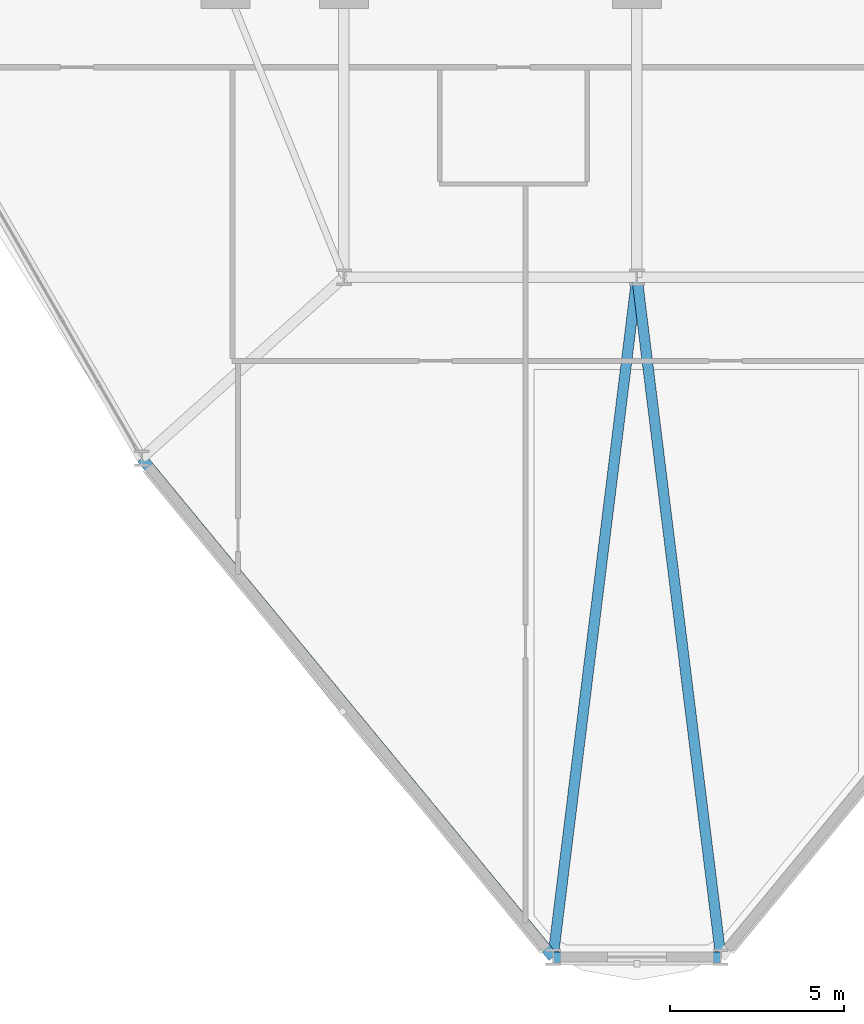
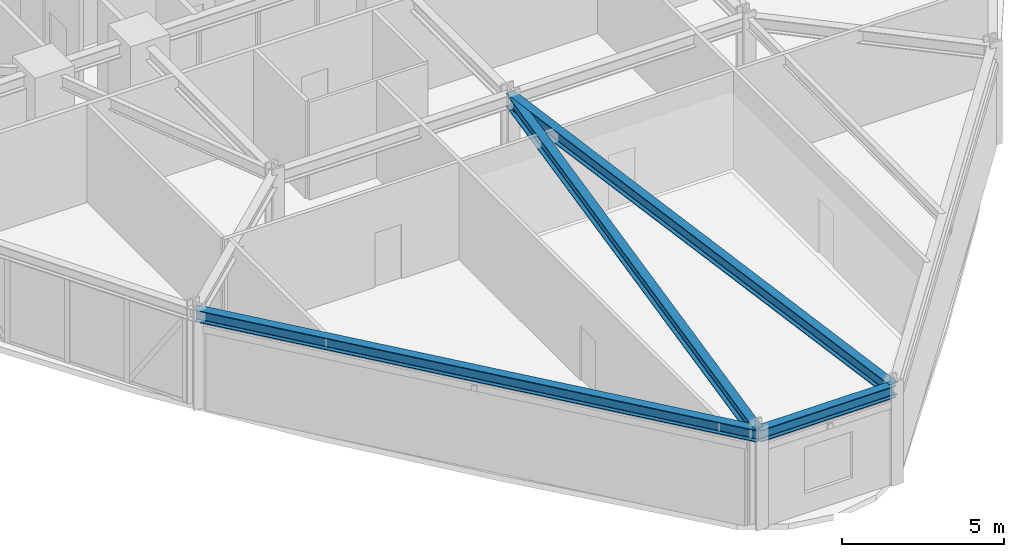
# One storey, part 3 of 22: 4 beams.
"""IFC4 building model written with IfcOpenShell, lengths in metres."""

import ifcopenshell
import ifcopenshell.guid

model = None  # the IFC model being written
_history = None  # IfcOwnerHistory: only IFC2X3 demands one
_inside = {}  # id of a spatial element -> (the spatial element, [elements in it])
_under = {}  # id of a project, library or spatial element -> (it, [spatial elements below it])
_declared = {}  # id of a project -> (the project, [libraries it declares])
_typed = {}  # id of a type object -> (the type object, [elements of that type])
_made_of = {}  # id of a material, layer set ... -> (it, [elements and type objects made of it])


def new_model(schema):
    """Start an empty IFC model of exactly this schema.

    Asked for "IFC4X3", IfcOpenShell would pick the latest addendum, in which some entities
    have other attributes; the version numbers below select the first issue.
    IFC2X3 requires an IfcOwnerHistory on every rooted entity: one is made here for all.
    """
    global model, _history
    if schema == "IFC4X3":
        model = ifcopenshell.file(schema_version=(4, 3, 0, 0))
    else:
        model = ifcopenshell.file(schema=schema)
    _inside.clear()
    _under.clear()
    _declared.clear()
    _typed.clear()
    _made_of.clear()
    _history = None
    if model.schema == "IFC2X3":
        org = make("IfcOrganization", Name="unknown")
        user = make(
            "IfcPersonAndOrganization",
            ThePerson=make("IfcPerson", FamilyName="unknown"),
            TheOrganization=org,
        )
        app = make(
            "IfcApplication",
            ApplicationDeveloper=org,
            Version="unknown",
            ApplicationFullName="unknown",
            ApplicationIdentifier="unknown",
        )
        _history = make(
            "IfcOwnerHistory",
            OwningUser=user,
            OwningApplication=app,
            ChangeAction="ADDED",
            CreationDate=0,
        )
    return model


def make(cls, **values):
    """One entity of the class cls with the attributes given. An attribute that is None is left unset."""
    return model.create_entity(
        cls, **{name: value for name, value in values.items() if value is not None}
    )


def rooted(cls, **values):
    """An entity with a GlobalId (a new one), such as an element, a storey or a relation."""
    return make(cls, GlobalId=ifcopenshell.guid.new(), OwnerHistory=_history, **values)


def si_unit(unit_type, name, prefix=None):
    """IfcSIUnit, for example si_unit("LENGTHUNIT", "METRE", prefix="MILLI")."""
    return make("IfcSIUnit", UnitType=unit_type, Prefix=prefix, Name=name)


def derived_unit(unit_type, elements):
    """IfcDerivedUnit: a product of units, each with its exponent."""
    return make(
        "IfcDerivedUnit",
        Elements=[
            make("IfcDerivedUnitElement", Unit=unit, Exponent=power)
            for unit, power in elements
        ],
        UnitType=unit_type,
    )


def assignment(units):
    """IfcUnitAssignment: the units of a project."""
    return None if units is None else make("IfcUnitAssignment", Units=units)


def point(xyz):
    """IfcCartesianPoint."""
    return None if xyz is None else make("IfcCartesianPoint", Coordinates=xyz)


def direction(xyz):
    """IfcDirection."""
    return None if xyz is None else make("IfcDirection", DirectionRatios=xyz)


def frame(location, z_axis=None, x_axis=None):
    """IfcAxis2Placement3D, a coordinate frame: its origin and axes. An axis left out is left unset."""
    return make(
        "IfcAxis2Placement3D",
        Location=point(location),
        Axis=direction(z_axis),
        RefDirection=direction(x_axis),
    )


def frame_2d(location, x_axis=None):
    """IfcAxis2Placement2D, a coordinate frame in the plane: its origin and x axis."""
    return make(
        "IfcAxis2Placement2D", Location=point(location), RefDirection=direction(x_axis)
    )


def origin():
    """The frame at (0, 0, 0) with its axes left unset."""
    return frame((0.0, 0.0, 0.0))


def origin_2d():
    """The frame at (0, 0) in the plane with its x axis left unset."""
    return frame_2d((0.0, 0.0))


def place(relative_to, where):
    """IfcLocalPlacement: puts the frame where relative to a parent placement (None: the world)."""
    return make(
        "IfcLocalPlacement", PlacementRelTo=relative_to, RelativePlacement=where
    )


def context(
    kind, dimensions, precision=None, world=None, true_north=None, identifier=None
):
    """IfcGeometricRepresentationContext, for example the 3D "Model" context."""
    return make(
        "IfcGeometricRepresentationContext",
        ContextIdentifier=identifier,
        ContextType=kind,
        CoordinateSpaceDimension=dimensions,
        Precision=precision,
        WorldCoordinateSystem=world,
        TrueNorth=true_north,
    )


def subcontext(parent, identifier, kind, view, scale=None):
    """IfcGeometricRepresentationSubContext, for example "Body" below "Model"."""
    return make(
        "IfcGeometricRepresentationSubContext",
        ContextIdentifier=identifier,
        ContextType=kind,
        ParentContext=parent,
        TargetScale=scale,
        TargetView=view,
    )


def project(units=None, contexts=None):
    """IfcProject with its units and contexts."""
    return rooted(
        "IfcProject",
        Name="project",
        RepresentationContexts=contexts,
        UnitsInContext=assignment(units),
    )


def spatial(cls, under=None, at=None, **own):
    """A site, building, storey or space (cls), placed at a placement, below another one or the project."""
    s = rooted(cls, ObjectPlacement=at, **own)
    if under is not None:
        _under.setdefault(under.id(), (under, []))[1].append(s)
    return s


def profile(cls, at=None, kind="AREA", **sizes):
    """A parametric profile (cls). Its sizes go by their IFC names, for example OverallWidth=200.0."""
    return make(cls, ProfileType=kind, Position=at, **sizes)


def i_section(**sizes):
    """IfcIShapeProfileDef."""
    return profile("IfcIShapeProfileDef", **sizes)


def extrude(swept, where, along, depth):
    """IfcExtrudedAreaSolid: the profile swept, set in the frame where, extruded along a direction by depth."""
    return make(
        "IfcExtrudedAreaSolid",
        SweptArea=swept,
        Position=where,
        ExtrudedDirection=direction(along),
        Depth=depth,
    )


def shape(context_of_items, identifier, shape_type, items):
    """IfcShapeRepresentation: the items that make up one representation, for example the "Body"."""
    return make(
        "IfcShapeRepresentation",
        ContextOfItems=context_of_items,
        RepresentationIdentifier=identifier,
        RepresentationType=shape_type,
        Items=items,
    )


def source(mapping_origin, context_of_items, identifier, shape_type, items):
    """IfcRepresentationMap: a shape defined once, which mapped items show again and again."""
    return make(
        "IfcRepresentationMap",
        MappingOrigin=mapping_origin,
        MappedRepresentation=shape(context_of_items, identifier, shape_type, items),
    )


def transform(
    local_origin,
    x_axis=None,
    y_axis=None,
    z_axis=None,
    scale=None,
    scale2=None,
    scale3=None,
    uniform=True,
):
    """IfcCartesianTransformationOperator3D, or its non-uniform kind. x_axis, y_axis, z_axis: its Axis1, 2, 3."""
    if uniform:
        return make(
            "IfcCartesianTransformationOperator3D",
            Axis1=direction(x_axis),
            Axis2=direction(y_axis),
            LocalOrigin=point(local_origin),
            Scale=scale,
            Axis3=direction(z_axis),
        )
    return make(
        "IfcCartesianTransformationOperator3DnonUniform",
        Axis1=direction(x_axis),
        Axis2=direction(y_axis),
        LocalOrigin=point(local_origin),
        Scale=scale,
        Axis3=direction(z_axis),
        Scale2=scale2,
        Scale3=scale3,
    )


def mapped(mapping_source, mapping_target):
    """IfcMappedItem: shows the shape of a source again, moved by a transform."""
    return make(
        "IfcMappedItem", MappingSource=mapping_source, MappingTarget=mapping_target
    )


def material(Name=None, Category=None):
    """IfcMaterial."""
    return make("IfcMaterial", Name=Name, Category=Category)


def material_profile(
    of_material, cross_section, Name=None, Category=None, Priority=None
):
    """IfcMaterialProfile: a cross section and its material."""
    return make(
        "IfcMaterialProfile",
        Name=Name,
        Material=of_material,
        Profile=cross_section,
        Priority=Priority,
        Category=Category,
    )


def profile_set(profiles, Name=None, composite=None):
    """IfcMaterialProfileSet."""
    return make(
        "IfcMaterialProfileSet",
        Name=Name,
        MaterialProfiles=profiles,
        CompositeProfile=composite,
    )


def made_of(thing, what):
    """Note that an element or type object is made of a material, layer set ...; save() writes the relation."""
    if what is not None:
        _made_of.setdefault(what.id(), (what, []))[1].append(thing)
    return thing


def type_object(cls, material=None, **own):
    """A type object (cls), such as IfcWallType, which elements share."""
    return made_of(rooted(cls, **own), material)


def element(
    cls,
    number,
    at=None,
    inside=None,
    cuts=None,
    type_object=None,
    material=None,
    context=None,
    identifier="Body",
    shape_type=None,
    held_by="IfcProductDefinitionShape",
    body=None,
    shapes=None,
    **own,
):
    """One element of the class cls, such as IfcWall. Its Tag is "e" and its number.

    at: its placement. inside: the storey or other place that contains it. cuts: it is an
    opening in that element (IfcRelVoidsElement). A single representation is given by context,
    identifier, shape_type and body (its items); several are given by shapes. held_by: the class
    of the entity that holds the representations. save() writes the other relations.
    """
    e = rooted(cls, Tag="e%d" % number, ObjectPlacement=at, **own)
    if body is not None:
        shapes = [shape(context, identifier, shape_type, body)]
    if shapes is not None:
        e.Representation = make(held_by, Representations=shapes)
    if inside is not None:
        _inside.setdefault(inside.id(), (inside, []))[1].append(e)
    if cuts is not None:
        rooted(
            "IfcRelVoidsElement", RelatingBuildingElement=cuts, RelatedOpeningElement=e
        )
    if type_object is not None:
        _typed.setdefault(type_object.id(), (type_object, []))[1].append(e)
    return made_of(e, material)


def aggregate(whole, parts):
    """IfcRelAggregates: a whole, such as a stair, and the parts it consists of."""
    return rooted("IfcRelAggregates", RelatingObject=whole, RelatedObjects=parts)


def save(model, path):
    """Write the relations noted so far, then the file.

    IfcRelAggregates (storeys below a building ...), IfcRelContainedInSpatialStructure (elements
    in a storey), IfcRelDefinesByType, IfcRelAssociatesMaterial and IfcRelDeclares: one each for
    every whole, place, type object, material and project.
    """
    for whole, parts in _under.values():
        aggregate(whole, parts)
    for where, things in _inside.values():
        rooted(
            "IfcRelContainedInSpatialStructure",
            RelatedElements=things,
            RelatingStructure=where,
        )
    for kind, things in _typed.values():
        rooted("IfcRelDefinesByType", RelatedObjects=things, RelatingType=kind)
    for what, things in _made_of.values():
        rooted("IfcRelAssociatesMaterial", RelatedObjects=things, RelatingMaterial=what)
    for by, libraries in _declared.values():
        rooted("IfcRelDeclares", RelatingContext=by, RelatedDefinitions=libraries)
    model.write(path)


model = new_model("IFC4")

# Units and contexts
model_context = context("Model", 3, precision=1e-05, world=origin(), true_north=direction((0.0, 1.0)))
body_context = subcontext(model_context, "Body", "Model", "MODEL_VIEW")
ifc_project = project(units=[si_unit("LENGTHUNIT", "METRE"), si_unit("AREAUNIT", "SQUARE_METRE"), si_unit("VOLUMEUNIT", "CUBIC_METRE"), si_unit("PLANEANGLEUNIT", "RADIAN"), si_unit("MASSUNIT", "GRAM", prefix="KILO"), derived_unit("THERMALTRANSMITTANCEUNIT", [(si_unit("POWERUNIT", "WATT"), 1), (si_unit("LENGTHUNIT", "METRE"), -2), (si_unit("THERMODYNAMICTEMPERATUREUNIT", "KELVIN"), -1)])], contexts=[model_context])

# Site, building, storey
site_placement = place(None, origin())
site = spatial("IfcSite", under=ifc_project, at=site_placement, CompositionType="ELEMENT")
building_placement = place(site_placement, origin())
building = spatial("IfcBuilding", under=site, at=building_placement, Name="Korsvarv Bourse and Concert Hall", CompositionType="ELEMENT")
storey_placement = place(building_placement, frame((0.0, 0.0, 51.300048828125)))
storey = spatial("IfcBuildingStorey", under=building, at=storey_placement, Name="L12", CompositionType="ELEMENT", Elevation=51.300048828125)

# Beams
ifc_material = material(Name="Steel S355", Category="steel")
ifc_material_profile_1 = material_profile(ifc_material, i_section(OverallWidth=0.300048828125, OverallDepth=0.449951171875, WebThickness=0.013916015625, FlangeThickness=0.02587890625, FilletRadius=0.02099609375, at=origin_2d()), Name="HEB 450")
ifc_profile_set_1 = profile_set([ifc_material_profile_1], Name="Steel S355")
beam_type_1 = type_object("IfcBeamType", Name="BM-HEB450", PredefinedType="SPANDREL", material=ifc_profile_set_1)
shared_shape_1 = source(origin(), body_context, "Body", "SweptSolid", [
    extrude(i_section(OverallWidth=0.300048828125, OverallDepth=0.449951171875, WebThickness=0.013916015625, FlangeThickness=0.02587890625, FilletRadius=0.02099609375, at=origin_2d()), origin(), (0.0, 0.0, 1.0), 18.5390625),
])
beam_1_placement = place(storey_placement, frame((21.801513671875, 18.8134765625, 3.454833984375), z_axis=(0.636127669923, -0.771583817585, 0.0), x_axis=(0.771583817585, 0.636127669923, 0.0)))
element("IfcBeam", 1, at=beam_1_placement, inside=storey, type_object=beam_type_1, Name="L12 beam B-08", PredefinedType="SPANDREL", context=body_context, shape_type="MappedRepresentation", body=[
    mapped(shared_shape_1, transform((0.0, 0.0, 0.0), scale=1.0)),
])
shared_shape_2 = source(origin(), body_context, "Body", "SweptSolid", [
    extrude(i_section(OverallWidth=0.300048828125, OverallDepth=0.449951171875, WebThickness=0.013916015625, FlangeThickness=0.02587890625, FilletRadius=0.02099609375, at=origin_2d()), origin(), (0.0, 0.0, 1.0), 4.810546875),
])
beam_2_placement = place(storey_placement, frame((33.5947265625, 4.509033203125, 3.454833984375), z_axis=(1.0, 0.0, 0.0), x_axis=(0.0, 1.0, 0.0)))
element("IfcBeam", 2, at=beam_2_placement, inside=storey, type_object=beam_type_1, Name="L12 beam B-08", PredefinedType="SPANDREL", context=body_context, shape_type="MappedRepresentation", body=[
    mapped(shared_shape_2, transform((0.0, 0.0, 0.0), scale=1.0)),
])
ifc_material_profile_2 = material_profile(ifc_material, i_section(OverallWidth=0.300048828125, OverallDepth=0.5, WebThickness=0.014404296875, FlangeThickness=0.028076171875, FilletRadius=0.02392578125, at=origin_2d()), Name="HEB 500")
ifc_profile_set_2 = profile_set([ifc_material_profile_2], Name="Steel S355")
beam_type_2 = type_object("IfcBeamType", Name="BM-HEB500", PredefinedType="BEAM", material=ifc_profile_set_2)
shared_shape_3 = source(origin(), body_context, "Body", "SweptSolid", [
    extrude(i_section(OverallWidth=0.300048828125, OverallDepth=0.5, WebThickness=0.014404296875, FlangeThickness=0.028076171875, FilletRadius=0.02392578125, at=origin_2d()), origin(), (0.0, 0.0, 1.0), 19.638916015625),
])
for number, where, z_axis, x_axis, name in (
    (3, (33.5947265625, 4.509033203125, 3.429931640625), (0.122475475827, 0.992471540056, 0.0), (-0.992471540056, 0.122475475827, 0.0), "L12 beam B-07"),
    (4, (38.4052734375, 4.509033203125, 3.429931640625), (-0.122475475827, 0.992471540056, 0.0), (-0.992471540056, -0.122475475827, 0.0), "L12 beam B-07"),
):
    element("IfcBeam", number, at=place(storey_placement, frame(where, z_axis=z_axis, x_axis=x_axis)), inside=storey, type_object=beam_type_2, Name=name, PredefinedType="BEAM", context=body_context, shape_type="MappedRepresentation", body=[
        mapped(shared_shape_3, transform((0.0, 0.0, 0.0), scale=1.0)),
    ])

save(model, "model.ifc")
